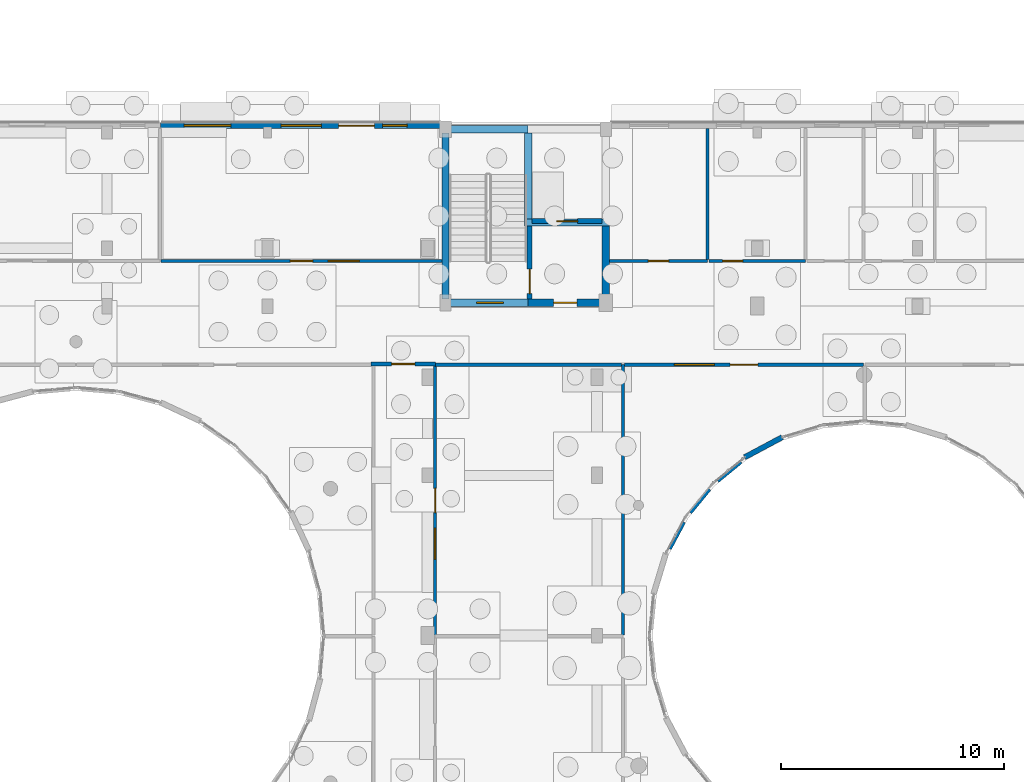
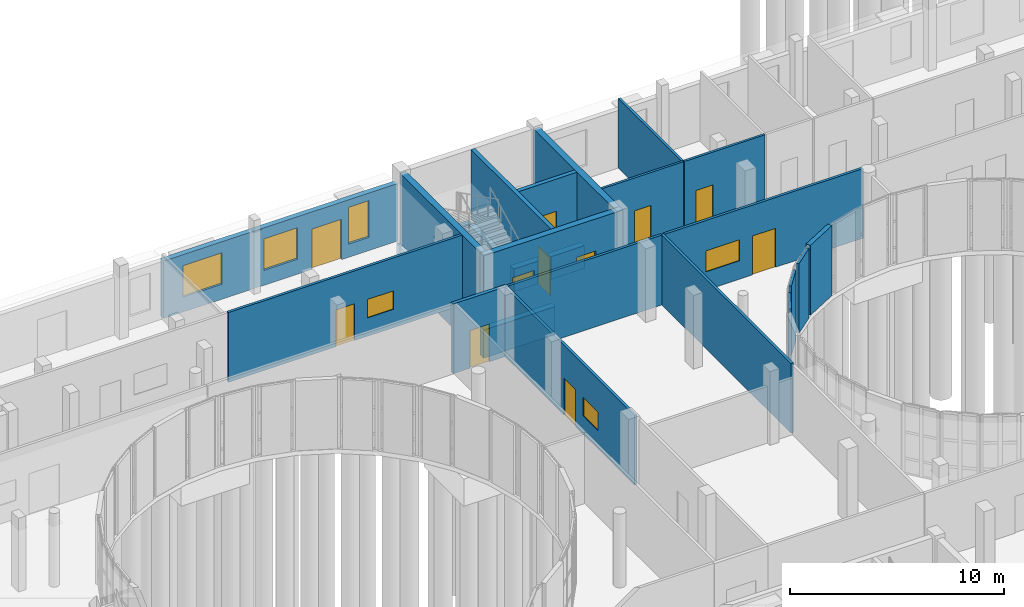
# One storey, part 72 of 93: 24 walls, 11 doors, 6 windows, 17 openings.
"""IFC4 building model written with IfcOpenShell, lengths in metres."""

from ifc_helpers import new_model, si_unit, direction, frame, frame_2d, origin, place, context, subcontext, project, spatial, rectangle, extrude, material, layer, layer_set, type_object, element, fill, save


model = new_model("IFC4")

# Units and contexts
model_context = context("Model", 3, precision=1e-05, world=origin(), true_north=direction((0.0, 1.0)))
body_context = subcontext(model_context, "Body", "Model", "MODEL_VIEW")
ifc_project = project(units=[si_unit("LENGTHUNIT", "METRE"), si_unit("AREAUNIT", "SQUARE_METRE"), si_unit("VOLUMEUNIT", "CUBIC_METRE"), si_unit("PLANEANGLEUNIT", "RADIAN"), si_unit("MASSUNIT", "GRAM", prefix="KILO")], contexts=[model_context])

# Site, building, storey
site_placement = place(None, origin())
site = spatial("IfcSite", under=ifc_project, at=site_placement, CompositionType="ELEMENT")
building_placement = place(site_placement, origin())
building = spatial("IfcBuilding", under=site, at=building_placement, Name="Kelanivale Promenade Academy", CompositionType="ELEMENT")
storey_placement = place(building_placement, origin())
storey = spatial("IfcBuildingStorey", under=building, at=storey_placement, Name="L00", CompositionType="ELEMENT", Elevation=0.0)

# Walls
ifc_material_1 = material(Name="Concrete C40/50", Category="concrete")
ifc_layer_1 = layer(ifc_material_1, 0.330078125)
ifc_layer_set_1 = layer_set([ifc_layer_1], Name="Concrete C40/50")
wall_type_1 = type_object("IfcWallType", Name="CW-S1 Wall 330mm", PredefinedType="SHEAR", material=ifc_layer_set_1)
wall_1_placement = place(storey_placement, frame((83.554931640625, 75.360107421875, -1.550048828125), z_axis=(0.0, 0.0, 1.0), x_axis=(1.0, 0.0, 0.0)))
element("IfcWall", 1, at=wall_1_placement, inside=storey, type_object=wall_type_1, Name="CORE-2 lift pit wall", PredefinedType="SHEAR", context=body_context, shape_type="SweptSolid", body=[
    extrude(rectangle(XDim=3.81005859375, YDim=0.330078125, at=frame_2d((1.905029296875, 0.0))), origin(), (0.0, 0.0, 1.0), 1.300048828125),
])
wall_2_placement = place(storey_placement, frame((83.719970703125, 75.52490234375, -1.550048828125), z_axis=(0.0, 0.0, 1.0), x_axis=(0.0, 1.0, 0.0)))
element("IfcWall", 2, at=wall_2_placement, inside=storey, type_object=wall_type_1, Name="CORE-2 lift pit wall", PredefinedType="SHEAR", context=body_context, shape_type="SweptSolid", body=[
    extrude(rectangle(XDim=3.860107421875, YDim=0.330078125, at=frame_2d((1.93017578125, 0.0))), origin(), (0.0, 0.0, 1.0), 1.300048828125),
])
wall_3_placement = place(storey_placement, frame((80.0, 71.9150390625, -1.85009765625), z_axis=(0.0, 0.0, 1.0), x_axis=(0.0, 1.0, 0.0)))
element("IfcWall", 3, at=wall_3_placement, inside=storey, type_object=wall_type_1, Name="CORE-2 core raft starter wall", PredefinedType="SHEAR", context=body_context, shape_type="SweptSolid", body=[
    extrude(rectangle(XDim=7.469970703125, YDim=0.330078125, at=frame_2d((3.73486328125, 0.0))), origin(), (0.0, 0.0, 1.0), 1.60009765625),
])
for number, where, z_axis, x_axis, name in (
    (4, (79.8349609375, 71.75, -1.85009765625), (0.0, 0.0, 1.0), (1.0, 0.0, 0.0), "CORE-2 core raft starter wall"),
    (5, (79.8349609375, 79.550048828125, -1.85009765625), (0.0, 0.0, 1.0), (1.0, 0.0, 0.0), "CORE-2 core raft starter wall"),
):
    element("IfcWall", number, at=place(storey_placement, frame(where, z_axis=z_axis, x_axis=x_axis)), inside=storey, type_object=wall_type_1, Name=name, PredefinedType="SHEAR", context=body_context, shape_type="SweptSolid", body=[
        extrude(rectangle(XDim=3.864990234375, YDim=0.330078125, at=frame_2d((1.9326171875, 0.0))), origin(), (0.0, 0.0, 1.0), 1.60009765625),
    ])

# Wall, openings, doors
wall_4_placement = place(storey_placement, frame((79.8349609375, 71.75, 0.0), z_axis=(0.0, 0.0, 1.0), x_axis=(1.0, 0.0, 0.0)))
wall_4 = element("IfcWall", 6, at=wall_4_placement, inside=storey, type_object=wall_type_1, Name="CORE-2 RC shear wall S L00", PredefinedType="SHEAR", context=body_context, shape_type="SweptSolid", body=[
    extrude(rectangle(XDim=7.530029296875, YDim=0.330078125, at=frame_2d((3.76513671875, 0.0))), origin(), (0.0, 0.0, 1.0), 3.97998046875),
])
opening_1_placement = place(wall_4_placement, frame((5.014892578125, 0.0, 0.0)))
opening_1 = element("IfcOpeningElement", 7, at=opening_1_placement, cuts=wall_4, Name="Opening FD-CORE-2-LB-L00", PredefinedType="OPENING", context=body_context, shape_type="SweptSolid", body=[
    extrude(rectangle(XDim=1.050048828125, YDim=2.14990234375, at=frame_2d((0.52490234375, 1.074951171875))), frame((0.0, 0.175048828125, 0.0), z_axis=(0.0, -1.0, 0.0), x_axis=(1.0, 0.0, 0.0)), (0.0, 0.0, 1.0), 0.35009765625),
])
opening_2_placement = place(wall_4_placement, frame((1.56494140625, 0.0, 0.0)))
opening_2 = element("IfcOpeningElement", 8, at=opening_2_placement, cuts=wall_4, Name="Opening FD-CORE-2-ST-L00", PredefinedType="OPENING", context=body_context, shape_type="SweptSolid", body=[
    extrude(rectangle(XDim=1.199951171875, YDim=2.199951171875, at=frame_2d((0.60009765625, 1.10009765625))), frame((0.0, 0.175048828125, 0.0), z_axis=(0.0, -1.0, 0.0), x_axis=(1.0, 0.0, 0.0)), (0.0, 0.0, 1.0), 0.35009765625),
])
ifc_material_2 = material(Name="Fire-rated steel-core teak veneer", Category="steel")
door_type_1 = type_object("IfcDoorType", Name="DT-F02 Door 1200x2200", OperationType="NOTDEFINED", PredefinedType="DOOR", material=ifc_material_2)
door_1_placement = place(opening_2_placement, frame((1.199951171875, 0.0, 0.0), z_axis=(0.0, 0.0, 1.0), x_axis=(-1.0, 0.0, 0.0)))
door_1 = element("IfcDoor", 9, at=door_1_placement, inside=storey, type_object=door_type_1, Name="CORE-2 protected stair fire door L00", OperationType="SINGLE_SWING_LEFT", OverallHeight=2.199951171875, OverallWidth=1.199951171875, PredefinedType="DOOR", context=body_context, shape_type="SweptSolid", body=[
    extrude(rectangle(XDim=1.199951171875, YDim=2.199951171875, at=frame_2d((0.60009765625, 1.10009765625))), frame((0.0, 0.02490234375, 0.0), z_axis=(0.0, -1.0, 0.0), x_axis=(1.0, 0.0, 0.0)), (0.0, 0.0, 1.0), 0.050048828125),
])
fill(opening_2, door_1)
door_type_2 = type_object("IfcDoorType", Name="DT-F03 Door 1050x2150", OperationType="NOTDEFINED", PredefinedType="DOOR", material=ifc_material_2)
door_2_placement = place(opening_1_placement, origin())
door_2 = element("IfcDoor", 10, at=door_2_placement, inside=storey, type_object=door_type_2, Name="CORE-2 corridor-to-lobby fire door L00", OperationType="SINGLE_SWING_RIGHT", OverallHeight=2.14990234375, OverallWidth=1.050048828125, PredefinedType="DOOR", context=body_context, shape_type="SweptSolid", body=[
    extrude(rectangle(XDim=1.050048828125, YDim=2.14990234375, at=frame_2d((0.52490234375, 1.074951171875))), frame((0.0, 0.02490234375, 0.0), z_axis=(0.0, -1.0, 0.0), x_axis=(1.0, 0.0, 0.0)), (0.0, 0.0, 1.0), 0.050048828125),
])
fill(opening_1, door_2)

# Walls
for number, where, z_axis, x_axis, name in (
    (11, (80.0, 71.9150390625, 0.0), (0.0, 0.0, 1.0), (0.0, 1.0, 0.0), "CORE-2 RC shear wall W L00"),
    (12, (87.199951171875, 71.9150390625, 0.0), (0.0, 0.0, 1.0), (0.0, 1.0, 0.0), "CORE-2 RC shear wall E L00"),
):
    element("IfcWall", number, at=place(storey_placement, frame(where, z_axis=z_axis, x_axis=x_axis)), inside=storey, type_object=wall_type_1, Name=name, PredefinedType="SHEAR", context=body_context, shape_type="SweptSolid", body=[
        extrude(rectangle(XDim=7.469970703125, YDim=0.330078125, at=frame_2d((3.73486328125, 0.0))), origin(), (0.0, 0.0, 1.0), 3.97998046875),
    ])

# Wall, opening, door
ifc_layer_2 = layer(ifc_material_1, 0.22509765625)
ifc_layer_set_2 = layer_set([ifc_layer_2], Name="Concrete C40/50")
wall_type_2 = type_object("IfcWallType", Name="CW-S2 Wall 225mm", PredefinedType="SHEAR", material=ifc_layer_set_2)
wall_5_placement = place(storey_placement, frame((83.885009765625, 75.419921875, 0.0), z_axis=(0.0, 0.0, 1.0), x_axis=(1.0, 0.0, 0.0)))
wall_5 = element("IfcWall", 13, at=wall_5_placement, inside=storey, type_object=wall_type_2, Name="CORE-2 lift shaft front RC wall L00", PredefinedType="SHEAR", context=body_context, shape_type="SweptSolid", body=[
    extrude(rectangle(XDim=3.14990234375, YDim=0.22509765625, at=frame_2d((1.574951171875, 0.0))), origin(), (0.0, 0.0, 1.0), 3.97998046875),
])
opening_3_placement = place(wall_5_placement, frame((1.10009765625, 0.0, 0.0)))
opening_3 = element("IfcOpeningElement", 14, at=opening_3_placement, cuts=wall_5, Name="Opening LD-LF-FF2-L00", PredefinedType="OPENING", context=body_context, shape_type="SweptSolid", body=[
    extrude(rectangle(XDim=0.949951171875, YDim=2.14990234375, at=frame_2d((0.47509765625, 1.074951171875))), frame((0.0, 0.12255859375, 0.0), z_axis=(0.0, -1.0, 0.0), x_axis=(1.0, 0.0, 0.0)), (0.0, 0.0, 1.0), 0.2451171875),
])
door_type_3 = type_object("IfcDoorType", Name="LD-FF1 Door 950x2150", OperationType="NOTDEFINED", PredefinedType="DOOR", material=ifc_material_2)
door_3_placement = place(opening_3_placement, origin())
door_3 = element("IfcDoor", 15, at=door_3_placement, inside=storey, type_object=door_type_3, Name="Firefighting lift landing door LD-LF-FF2-L00", OperationType="SLIDING_TO_LEFT", OverallHeight=2.14990234375, OverallWidth=0.949951171875, PredefinedType="DOOR", context=body_context, shape_type="SweptSolid", body=[
    extrude(rectangle(XDim=0.949951171875, YDim=2.14990234375, at=frame_2d((0.47509765625, 1.074951171875))), frame((0.0, 0.02490234375, 0.0), z_axis=(0.0, -1.0, 0.0), x_axis=(1.0, 0.0, 0.0)), (0.0, 0.0, 1.0), 0.050048828125),
])
fill(opening_3, door_3)

ifc_layer_3 = layer(ifc_material_1, 0.219970703125)
ifc_layer_set_3 = layer_set([ifc_layer_3], Name="Concrete C40/50")
wall_type_3 = type_object("IfcWallType", Name="CW-S3 Wall 220mm", PredefinedType="SHEAR", material=ifc_layer_set_3)
wall_6_placement = place(storey_placement, frame((83.77490234375, 71.9150390625, 0.0), z_axis=(0.0, 0.0, 1.0), x_axis=(0.0, 1.0, 0.0)))
wall_6 = element("IfcWall", 16, at=wall_6_placement, inside=storey, type_object=wall_type_3, Name="CORE-2 stair-lobby dividing RC wall L00", PredefinedType="SHEAR", context=body_context, shape_type="SweptSolid", body=[
    extrude(rectangle(XDim=7.469970703125, YDim=0.219970703125, at=frame_2d((3.73486328125, 0.0))), origin(), (0.0, 0.0, 1.0), 3.97998046875),
])
opening_4_placement = place(wall_6_placement, frame((0.25, 0.0, 0.0)))
opening_4 = element("IfcOpeningElement", 17, at=opening_4_placement, cuts=wall_6, Name="Opening FD-CORE-2-SL-L00", PredefinedType="OPENING", context=body_context, shape_type="SweptSolid", body=[
    extrude(rectangle(XDim=1.10009765625, YDim=2.14990234375, at=frame_2d((0.550048828125, 1.074951171875))), frame((0.0, 0.1201171875, 0.0), z_axis=(0.0, -1.0, 0.0), x_axis=(1.0, 0.0, 0.0)), (0.0, 0.0, 1.0), 0.239990234375),
])
door_type_4 = type_object("IfcDoorType", Name="DT-F01 Door 1100x2150", OperationType="NOTDEFINED", PredefinedType="DOOR", material=ifc_material_2)
door_4_placement = place(opening_4_placement, origin())
door_4 = element("IfcDoor", 18, at=door_4_placement, inside=storey, type_object=door_type_4, Name="CORE-2 lobby-to-stair fire door L00", OperationType="SINGLE_SWING_LEFT", OverallHeight=2.14990234375, OverallWidth=1.10009765625, PredefinedType="DOOR", context=body_context, shape_type="SweptSolid", body=[
    extrude(rectangle(XDim=1.10009765625, YDim=2.14990234375, at=frame_2d((0.550048828125, 1.074951171875))), frame((0.0, 0.02490234375, 0.0), z_axis=(0.0, -1.0, 0.0), x_axis=(1.0, 0.0, 0.0)), (0.0, 0.0, 1.0), 0.050048828125),
])
fill(opening_4, door_4)

# Wall, openings, door, windows
ifc_material_3 = material(Name="Insulated ivory stucco masonry wall 280 mm", Category="masonry")
ifc_layer_4 = layer(ifc_material_3, 0.280029296875)
ifc_layer_set_4 = layer_set([ifc_layer_4], Name="Insulated ivory stucco masonry wall 280 mm")
wall_type_4 = type_object("IfcWallType", Name="EW-02 Wall 280mm", PredefinedType="SOLIDWALL", material=ifc_layer_set_4)
wall_7_placement = place(storey_placement, frame((79.8349609375, 79.7099609375, 0.0), z_axis=(0.0, 0.0, 1.0), x_axis=(-1.0, 0.0, 0.0)))
wall_7 = element("IfcWall", 19, at=wall_7_placement, inside=storey, type_object=wall_type_4, Name="L00 exterior facade wall EW-L00-ORT-0311", PredefinedType="SOLIDWALL", context=body_context, shape_type="SweptSolid", body=[
    extrude(rectangle(XDim=12.635009765625, YDim=0.280029296875, at=frame_2d((6.3173828125, 0.0))), origin(), (0.0, 0.0, 1.0), 3.27490234375),
])
opening_5_placement = place(wall_7_placement, frame((3.034912109375, 0.0, 0.0)))
opening_5 = element("IfcOpeningElement", 20, at=opening_5_placement, cuts=wall_7, Name="Opening ED-03", PredefinedType="OPENING", context=body_context, shape_type="SweptSolid", body=[
    extrude(rectangle(XDim=1.60009765625, YDim=2.300048828125, at=frame_2d((0.800048828125, 1.14990234375))), frame((0.0, 0.14990234375, 0.0), z_axis=(0.0, -1.0, 0.0), x_axis=(1.0, 0.0, 0.0)), (0.0, 0.0, 1.0), 0.300048828125),
])
opening_6_placement = place(wall_7_placement, frame((1.555908203125, 0.0, 0.75)))
opening_6 = element("IfcOpeningElement", 21, at=opening_6_placement, cuts=wall_7, Name="Opening WT-17", PredefinedType="OPENING", context=body_context, shape_type="SweptSolid", body=[
    extrude(rectangle(XDim=1.10009765625, YDim=2.10009765625, at=frame_2d((0.550048828125, 1.050048828125))), frame((0.0, 0.14990234375, 0.0), z_axis=(0.0, -1.0, 0.0), x_axis=(1.0, 0.0, 0.0)), (0.0, 0.0, 1.0), 0.300048828125),
])
opening_7_placement = place(wall_7_placement, frame((5.4169921875, 0.0, 0.85009765625)))
opening_7 = element("IfcOpeningElement", 22, at=opening_7_placement, cuts=wall_7, Name="Opening WT-01", PredefinedType="OPENING", context=body_context, shape_type="SweptSolid", body=[
    extrude(rectangle(XDim=1.800048828125, YDim=1.800048828125, at=frame_2d((0.89990234375, 0.89990234375))), frame((0.0, 0.14990234375, 0.0), z_axis=(0.0, -1.0, 0.0), x_axis=(1.0, 0.0, 0.0)), (0.0, 0.0, 1.0), 0.300048828125),
])
opening_8_placement = place(wall_7_placement, frame((9.47900390625, 0.0, 0.85009765625)))
opening_8 = element("IfcOpeningElement", 23, at=opening_8_placement, cuts=wall_7, Name="Opening WT-02", PredefinedType="OPENING", context=body_context, shape_type="SweptSolid", body=[
    extrude(rectangle(XDim=2.10009765625, YDim=1.800048828125, at=frame_2d((1.050048828125, 0.89990234375))), frame((0.0, 0.14990234375, 0.0), z_axis=(0.0, -1.0, 0.0), x_axis=(1.0, 0.0, 0.0)), (0.0, 0.0, 1.0), 0.300048828125),
])
ifc_material_4 = material(Name="Bronze anodised aluminium and laminated glass", Category="aluminium")
door_type_5 = type_object("IfcDoorType", Name="DT-X02 Door 1600x2300", OperationType="NOTDEFINED", PredefinedType="DOOR", material=ifc_material_4)
door_5_placement = place(opening_5_placement, frame((1.60009765625, 0.0, 0.0), z_axis=(0.0, 0.0, 1.0), x_axis=(-1.0, 0.0, 0.0)))
door_5 = element("IfcDoor", 24, at=door_5_placement, inside=storey, type_object=door_type_5, Name="North spine central exit discharge door ED-03", OperationType="DOUBLE_DOOR_SINGLE_SWING", OverallHeight=2.300048828125, OverallWidth=1.60009765625, PredefinedType="DOOR", context=body_context, shape_type="SweptSolid", body=[
    extrude(rectangle(XDim=1.60009765625, YDim=2.300048828125, at=frame_2d((0.800048828125, 1.14990234375))), frame((0.0, 0.02490234375, 0.0), z_axis=(0.0, -1.0, 0.0), x_axis=(1.0, 0.0, 0.0)), (0.0, 0.0, 1.0), 0.050048828125),
])
fill(opening_5, door_5)
ifc_material_5 = material(Name="Bronze anodised aluminium frame with low-E laminated glass", Category="aluminium")
window_type_1 = type_object("IfcWindowType", Name="WT-01 Window 1800x1800", PartitioningType="SINGLE_PANEL", PredefinedType="WINDOW", material=ifc_material_5)
window_1_placement = place(opening_7_placement, origin())
window_1 = element("IfcWindow", 25, at=window_1_placement, inside=storey, type_object=window_type_1, Name="Window WT-01", OverallHeight=1.800048828125, OverallWidth=1.800048828125, PartitioningType="SINGLE_PANEL", PredefinedType="WINDOW", context=body_context, shape_type="SweptSolid", body=[
    extrude(rectangle(XDim=1.800048828125, YDim=1.800048828125, at=frame_2d((0.89990234375, 0.89990234375))), frame((0.0, 0.030029296875, 0.0), z_axis=(0.0, -1.0, 0.0), x_axis=(1.0, 0.0, 0.0)), (0.0, 0.0, 1.0), 0.06005859375),
])
fill(opening_7, window_1)
window_type_2 = type_object("IfcWindowType", Name="WT-02 Window 2100x1800", PartitioningType="SINGLE_PANEL", PredefinedType="WINDOW", material=ifc_material_5)
window_2_placement = place(opening_8_placement, origin())
window_2 = element("IfcWindow", 26, at=window_2_placement, inside=storey, type_object=window_type_2, Name="Window WT-02", OverallHeight=1.800048828125, OverallWidth=2.10009765625, PartitioningType="SINGLE_PANEL", PredefinedType="WINDOW", context=body_context, shape_type="SweptSolid", body=[
    extrude(rectangle(XDim=2.10009765625, YDim=1.800048828125, at=frame_2d((1.050048828125, 0.89990234375))), frame((0.0, 0.030029296875, 0.0), z_axis=(0.0, -1.0, 0.0), x_axis=(1.0, 0.0, 0.0)), (0.0, 0.0, 1.0), 0.06005859375),
])
fill(opening_8, window_2)
window_type_3 = type_object("IfcWindowType", Name="WT-17 Window 1100x2100", PartitioningType="SINGLE_PANEL", PredefinedType="WINDOW", material=ifc_material_5)
window_3_placement = place(opening_6_placement, origin())
window_3 = element("IfcWindow", 27, at=window_3_placement, inside=storey, type_object=window_type_3, Name="Window WT-17", OverallHeight=2.10009765625, OverallWidth=1.10009765625, PartitioningType="SINGLE_PANEL", PredefinedType="WINDOW", context=body_context, shape_type="SweptSolid", body=[
    extrude(rectangle(XDim=1.10009765625, YDim=2.10009765625, at=frame_2d((0.550048828125, 1.050048828125))), frame((0.0, 0.030029296875, 0.0), z_axis=(0.0, -1.0, 0.0), x_axis=(1.0, 0.0, 0.0)), (0.0, 0.0, 1.0), 0.06005859375),
])
fill(opening_6, window_3)

# Wall
ifc_material_6 = material(Name="Insulated courtyard stucco masonry wall 240 mm", Category="masonry")
ifc_layer_5 = layer(ifc_material_6, 0.239990234375)
ifc_layer_set_5 = layer_set([ifc_layer_5], Name="Insulated courtyard stucco masonry wall 240 mm")
wall_type_5 = type_object("IfcWallType", Name="EW-04 Wall 240mm", PredefinedType="SOLIDWALL", material=ifc_layer_set_5)
wall_8_placement = place(storey_placement, frame((95.12109375, 65.7119140625, 0.0), z_axis=(0.0, 0.0, 1.0), x_axis=(-0.881893245259, -0.471449153109, 0.0)))
element("IfcWall", 28, at=wall_8_placement, inside=storey, type_object=wall_type_5, Name="L00 round courtyard stucco wall", PredefinedType="SOLIDWALL", context=body_context, shape_type="SweptSolid", body=[
    extrude(rectangle(XDim=1.912841796875, YDim=0.239990234375, at=frame_2d((0.95654296875, 0.0))), origin(), (0.0, 0.0, 1.0), 3.97998046875),
])

# Wall, opening, door
ifc_material_7 = material(Name="Autoclaved masonry blockwork 180 mm", Category="masonry")
ifc_layer_6 = layer(ifc_material_7, 0.179931640625)
ifc_layer_set_6 = layer_set([ifc_layer_6], Name="Autoclaved masonry blockwork 180 mm")
wall_type_6 = type_object("IfcWallType", Name="IW-02 Wall 180mm", PredefinedType="PARTITIONING", material=ifc_layer_set_6)
wall_9_placement = place(storey_placement, frame((76.64990234375, 69.0, 0.0), z_axis=(0.0, 0.0, 1.0), x_axis=(1.0, 0.0, 0.0)))
wall_9 = element("IfcWall", 29, at=wall_9_placement, inside=storey, type_object=wall_type_6, Name="L00 cross-corridor fire wall", PredefinedType="PARTITIONING", context=body_context, shape_type="SweptSolid", body=[
    extrude(rectangle(XDim=2.900146484375, YDim=0.179931640625, at=frame_2d((1.4501953125, 0.0))), origin(), (0.0, 0.0, 1.0), 3.97998046875),
])
opening_9_placement = place(wall_9_placement, frame((0.925048828125, 0.0, 0.0)))
opening_9 = element("IfcOpeningElement", 30, at=opening_9_placement, cuts=wall_9, Name="Opening FD-L00-CC-005", PredefinedType="OPENING", context=body_context, shape_type="SweptSolid", body=[
    extrude(rectangle(XDim=1.050048828125, YDim=2.14990234375, at=frame_2d((0.52490234375, 1.074951171875))), frame((0.0, 0.10009765625, 0.0), z_axis=(0.0, -1.0, 0.0), x_axis=(1.0, 0.0, 0.0)), (0.0, 0.0, 1.0), 0.199951171875),
])
door_6_placement = place(opening_9_placement, origin())
door_6 = element("IfcDoor", 31, at=door_6_placement, inside=storey, type_object=door_type_2, Name="L00 cross-corridor fire door FD-L00-CC-005", OperationType="SINGLE_SWING_LEFT", OverallHeight=2.14990234375, OverallWidth=1.050048828125, PredefinedType="DOOR", context=body_context, shape_type="SweptSolid", body=[
    extrude(rectangle(XDim=1.050048828125, YDim=2.14990234375, at=frame_2d((0.52490234375, 1.074951171875))), frame((0.0, 0.02490234375, 0.0), z_axis=(0.0, -1.0, 0.0), x_axis=(1.0, 0.0, 0.0)), (0.0, 0.0, 1.0), 0.050048828125),
])
fill(opening_9, door_6)

# Walls
ifc_material_8 = material(Name="Acoustic double-stud gypsum board partition 140 mm", Category="masonry")
ifc_layer_7 = layer(ifc_material_8, 0.139892578125)
ifc_layer_set_7 = layer_set([ifc_layer_7], Name="Acoustic double-stud gypsum board partition 140 mm")
wall_type_7 = type_object("IfcWallType", Name="IW-04 Wall 140mm", PredefinedType="PARTITIONING", material=ifc_layer_set_7)
wall_10_placement = place(storey_placement, frame((87.969970703125, 56.837890625, 0.0), z_axis=(0.0, 0.0, 1.0), x_axis=(0.0, 1.0, 0.0)))
element("IfcWall", 32, at=wall_10_placement, inside=storey, type_object=wall_type_7, Name="L00 partition Humanities Seminar", PredefinedType="PARTITIONING", context=body_context, shape_type="SweptSolid", body=[
    extrude(rectangle(XDim=12.132080078125, YDim=0.139892578125, at=frame_2d((6.06591796875, 0.0))), origin(), (0.0, 0.0, 1.0), 3.97509765625),
])
wall_11_placement = place(storey_placement, frame((87.902099609375, 68.969970703125, 0.0), z_axis=(0.0, 0.0, 1.0), x_axis=(-1.0, 0.0, 0.0)))
element("IfcWall", 33, at=wall_11_placement, inside=storey, type_object=wall_type_7, Name="L00 partition Humanities Seminar", PredefinedType="PARTITIONING", context=body_context, shape_type="SweptSolid", body=[
    extrude(rectangle(XDim=8.3720703125, YDim=0.139892578125, at=frame_2d((4.18603515625, 0.0))), origin(), (0.0, 0.0, 1.0), 3.97509765625),
])

# Wall, openings, door, window
wall_12_placement = place(storey_placement, frame((79.530029296875, 68.902099609375, 0.0), z_axis=(0.0, 0.0, 1.0), x_axis=(0.0, -1.0, 0.0)))
wall_12 = element("IfcWall", 34, at=wall_12_placement, inside=storey, type_object=wall_type_7, Name="L00 partition Humanities Seminar", PredefinedType="PARTITIONING", context=body_context, shape_type="SweptSolid", body=[
    extrude(rectangle(XDim=12.064208984375, YDim=0.139892578125, at=frame_2d((6.0322265625, 0.0))), origin(), (0.0, 0.0, 1.0), 3.97509765625),
])
opening_10_placement = place(wall_12_placement, frame((5.48193359375, 0.0, 0.0)))
opening_10 = element("IfcOpeningElement", 35, at=opening_10_placement, cuts=wall_12, Name="Opening ID-L00-034", PredefinedType="OPENING", context=body_context, shape_type="SweptSolid", body=[
    extrude(rectangle(XDim=1.10009765625, YDim=2.10009765625, at=frame_2d((0.550048828125, 1.050048828125))), frame((0.0, 0.080078125, 0.0), z_axis=(0.0, -1.0, 0.0), x_axis=(1.0, 0.0, 0.0)), (0.0, 0.0, 1.0), 0.159912109375),
])
opening_11_placement = place(wall_12_placement, frame((7.281982421875, 0.0, 1.050048828125)))
opening_11 = element("IfcOpeningElement", 36, at=opening_11_placement, cuts=wall_12, Name="Opening WT-I03", PredefinedType="OPENING", context=body_context, shape_type="SweptSolid", body=[
    extrude(rectangle(XDim=1.39990234375, YDim=1.050048828125, at=frame_2d((0.699951171875, 0.52490234375))), frame((0.0, 0.080078125, 0.0), z_axis=(0.0, -1.0, 0.0), x_axis=(1.0, 0.0, 0.0)), (0.0, 0.0, 1.0), 0.159912109375),
])
ifc_material_9 = material(Name="Solid-core tropical teak timber", Category="wood")
door_type_6 = type_object("IfcDoorType", Name="DT-I03 Door 1100x2100", OperationType="NOTDEFINED", PredefinedType="DOOR", material=ifc_material_9)
door_7_placement = place(opening_10_placement, origin())
door_7 = element("IfcDoor", 37, at=door_7_placement, inside=storey, type_object=door_type_6, Name="Humanities Seminar door ID-L00-034", OperationType="SINGLE_SWING_RIGHT", OverallHeight=2.10009765625, OverallWidth=1.10009765625, PredefinedType="DOOR", context=body_context, shape_type="SweptSolid", body=[
    extrude(rectangle(XDim=1.10009765625, YDim=2.10009765625, at=frame_2d((0.550048828125, 1.050048828125))), frame((0.0, 0.02490234375, 0.0), z_axis=(0.0, -1.0, 0.0), x_axis=(1.0, 0.0, 0.0)), (0.0, 0.0, 1.0), 0.050048828125),
])
fill(opening_10, door_7)
window_type_4 = type_object("IfcWindowType", Name="WT-I03 Window 1400x1050", PartitioningType="SINGLE_PANEL", PredefinedType="WINDOW", material=ifc_material_5)
window_4_placement = place(opening_11_placement, origin())
window_4 = element("IfcWindow", 38, at=window_4_placement, inside=storey, type_object=window_type_4, Name="Interior observation window WT-I03", OverallHeight=1.050048828125, OverallWidth=1.39990234375, PartitioningType="SINGLE_PANEL", PredefinedType="WINDOW", context=body_context, shape_type="SweptSolid", body=[
    extrude(rectangle(XDim=1.39990234375, YDim=1.050048828125, at=frame_2d((0.699951171875, 0.52490234375))), frame((0.0, 0.030029296875, 0.0), z_axis=(0.0, -1.0, 0.0), x_axis=(1.0, 0.0, 0.0)), (0.0, 0.0, 1.0), 0.06005859375),
])
fill(opening_11, window_4)

# Wall
wall_13_placement = place(storey_placement, frame((92.23291015625, 63.73193359375, 0.0), z_axis=(0.0, 0.0, 1.0), x_axis=(0.772962530207, 0.634451674201, 0.0)))
element("IfcWall", 39, at=wall_13_placement, inside=storey, type_object=wall_type_7, Name="L00 partition Humanities Seminar Courtyard East-North", PredefinedType="PARTITIONING", context=body_context, shape_type="SweptSolid", body=[
    extrude(rectangle(XDim=1.357177734375, YDim=0.139892578125, at=frame_2d((0.6787109375, 0.0))), origin(), (0.0, 0.0, 1.0), 3.97509765625),
])

# Wall, openings, door, window
wall_14_placement = place(storey_placement, frame((98.77001953125, 68.969970703125, 0.0), z_axis=(0.0, 0.0, 1.0), x_axis=(-1.0, 0.0, 0.0)))
wall_14 = element("IfcWall", 40, at=wall_14_placement, inside=storey, type_object=wall_type_7, Name="L00 partition Humanities Seminar Courtyard East-North", PredefinedType="PARTITIONING", context=body_context, shape_type="SweptSolid", body=[
    extrude(rectangle(XDim=10.73193359375, YDim=0.139892578125, at=frame_2d((5.365966796875, 0.0))), origin(), (0.0, 0.0, 1.0), 3.97509765625),
])
opening_12_placement = place(wall_14_placement, frame((4.740966796875, 0.0, 0.0)))
opening_12 = element("IfcOpeningElement", 41, at=opening_12_placement, cuts=wall_14, Name="Opening ID-L00-042", PredefinedType="OPENING", context=body_context, shape_type="SweptSolid", body=[
    extrude(rectangle(XDim=1.25, YDim=2.219970703125, at=frame_2d((0.625, 1.10986328125))), frame((0.0, 0.080078125, 0.0), z_axis=(0.0, -1.0, 0.0), x_axis=(1.0, 0.0, 0.0)), (0.0, 0.0, 1.0), 0.159912109375),
])
opening_13_placement = place(wall_14_placement, frame((6.69091796875, 0.0, 1.050048828125)))
opening_13 = element("IfcOpeningElement", 42, at=opening_13_placement, cuts=wall_14, Name="Opening WT-I02", PredefinedType="OPENING", context=body_context, shape_type="SweptSolid", body=[
    extrude(rectangle(XDim=1.800048828125, YDim=1.199951171875, at=frame_2d((0.89990234375, 0.60009765625))), frame((0.0, 0.080078125, 0.0), z_axis=(0.0, -1.0, 0.0), x_axis=(1.0, 0.0, 0.0)), (0.0, 0.0, 1.0), 0.159912109375),
])
door_type_7 = type_object("IfcDoorType", Name="DT-I19 Door 1250x2220", OperationType="NOTDEFINED", PredefinedType="DOOR", material=ifc_material_9)
door_8_placement = place(opening_12_placement, origin())
door_8 = element("IfcDoor", 43, at=door_8_placement, inside=storey, type_object=door_type_7, Name="Humanities Seminar Courtyard East-North door ID-L00-042", OperationType="SINGLE_SWING_LEFT", OverallHeight=2.219970703125, OverallWidth=1.25, PredefinedType="DOOR", context=body_context, shape_type="SweptSolid", body=[
    extrude(rectangle(XDim=1.25, YDim=2.219970703125, at=frame_2d((0.625, 1.10986328125))), frame((0.0, 0.02490234375, 0.0), z_axis=(0.0, -1.0, 0.0), x_axis=(1.0, 0.0, 0.0)), (0.0, 0.0, 1.0), 0.050048828125),
])
fill(opening_12, door_8)
window_type_5 = type_object("IfcWindowType", Name="WT-I02 Window 1800x1200", PartitioningType="SINGLE_PANEL", PredefinedType="WINDOW", material=ifc_material_5)
window_5_placement = place(opening_13_placement, origin())
window_5 = element("IfcWindow", 44, at=window_5_placement, inside=storey, type_object=window_type_5, Name="Interior observation window WT-I02", OverallHeight=1.199951171875, OverallWidth=1.800048828125, PartitioningType="SINGLE_PANEL", PredefinedType="WINDOW", context=body_context, shape_type="SweptSolid", body=[
    extrude(rectangle(XDim=1.800048828125, YDim=1.199951171875, at=frame_2d((0.89990234375, 0.60009765625))), frame((0.0, 0.030029296875, 0.0), z_axis=(0.0, -1.0, 0.0), x_axis=(1.0, 0.0, 0.0)), (0.0, 0.0, 1.0), 0.06005859375),
])
fill(opening_13, window_5)

# Walls
for number, where, z_axis, x_axis, name in (
    (45, (90.0810546875, 60.69091796875, 0.0), (0.0, 0.0, 1.0), (0.470877717269, 0.882198489785, 0.0), "L00 partition Humanities Seminar Courtyard East-North"),
    (46, (91.007080078125, 62.318115234375, 0.0), (0.0, 0.0, 1.0), (0.634432410055, 0.772978341916, 0.0), "L00 partition Humanities Seminar Courtyard East-North"),
):
    element("IfcWall", number, at=place(storey_placement, frame(where, z_axis=z_axis, x_axis=x_axis)), inside=storey, type_object=wall_type_7, Name=name, PredefinedType="PARTITIONING", context=body_context, shape_type="SweptSolid", body=[
        extrude(rectangle(XDim=1.35693359375, YDim=0.139892578125, at=frame_2d((0.678466796875, 0.0))), origin(), (0.0, 0.0, 1.0), 3.97509765625),
    ])

# Wall, openings, door, window
wall_15_placement = place(storey_placement, frame((67.22998046875, 73.6298828125, 0.0), z_axis=(0.0, 0.0, 1.0), x_axis=(1.0, 0.0, 0.0)))
wall_15 = element("IfcWall", 47, at=wall_15_placement, inside=storey, type_object=wall_type_7, Name="L00 partition Junior Classroom North 2", PredefinedType="PARTITIONING", context=body_context, shape_type="SweptSolid", body=[
    extrude(rectangle(XDim=12.60693359375, YDim=0.139892578125, at=frame_2d((6.303466796875, 0.0))), origin(), (0.0, 0.0, 1.0), 3.97509765625),
])
opening_14_placement = place(wall_15_placement, frame((5.802978515625, 0.0, 0.0)))
opening_14 = element("IfcOpeningElement", 48, at=opening_14_placement, cuts=wall_15, Name="Opening ID-L00-049", PredefinedType="OPENING", context=body_context, shape_type="SweptSolid", body=[
    extrude(rectangle(XDim=1.0, YDim=2.10009765625, at=frame_2d((0.5, 1.050048828125))), frame((0.0, 0.080078125, 0.0), z_axis=(0.0, -1.0, 0.0), x_axis=(1.0, 0.0, 0.0)), (0.0, 0.0, 1.0), 0.159912109375),
])
opening_15_placement = place(wall_15_placement, frame((7.5029296875, 0.0, 1.050048828125)))
opening_15 = element("IfcOpeningElement", 49, at=opening_15_placement, cuts=wall_15, Name="Opening WT-I03", PredefinedType="OPENING", context=body_context, shape_type="SweptSolid", body=[
    extrude(rectangle(XDim=1.39990234375, YDim=1.050048828125, at=frame_2d((0.699951171875, 0.52490234375))), frame((0.0, 0.080078125, 0.0), z_axis=(0.0, -1.0, 0.0), x_axis=(1.0, 0.0, 0.0)), (0.0, 0.0, 1.0), 0.159912109375),
])
door_type_8 = type_object("IfcDoorType", Name="DT-I01 Door 1000x2100", OperationType="NOTDEFINED", PredefinedType="DOOR", material=ifc_material_9)
door_9_placement = place(opening_14_placement, origin())
door_9 = element("IfcDoor", 50, at=door_9_placement, inside=storey, type_object=door_type_8, Name="Junior Classroom North 2 door ID-L00-049", OperationType="SINGLE_SWING_RIGHT", OverallHeight=2.10009765625, OverallWidth=1.0, PredefinedType="DOOR", context=body_context, shape_type="SweptSolid", body=[
    extrude(rectangle(XDim=1.0, YDim=2.10009765625, at=frame_2d((0.5, 1.050048828125))), frame((0.0, 0.02490234375, 0.0), z_axis=(0.0, -1.0, 0.0), x_axis=(1.0, 0.0, 0.0)), (0.0, 0.0, 1.0), 0.050048828125),
])
fill(opening_14, door_9)
window_6_placement = place(opening_15_placement, origin())
window_6 = element("IfcWindow", 51, at=window_6_placement, inside=storey, type_object=window_type_4, Name="Interior observation window WT-I03", OverallHeight=1.050048828125, OverallWidth=1.39990234375, PartitioningType="SINGLE_PANEL", PredefinedType="WINDOW", context=body_context, shape_type="SweptSolid", body=[
    extrude(rectangle(XDim=1.39990234375, YDim=1.050048828125, at=frame_2d((0.699951171875, 0.52490234375))), frame((0.0, 0.030029296875, 0.0), z_axis=(0.0, -1.0, 0.0), x_axis=(1.0, 0.0, 0.0)), (0.0, 0.0, 1.0), 0.06005859375),
])
fill(opening_15, window_6)

# Wall, opening, door
ifc_material_10 = material(Name="Moisture-resistant masonry wet-room partition 125 mm", Category="masonry")
ifc_layer_8 = layer(ifc_material_10, 0.125)
ifc_layer_set_8 = layer_set([ifc_layer_8], Name="Moisture-resistant masonry wet-room partition 125 mm")
wall_type_8 = type_object("IfcWallType", Name="IW-05 Wall 125mm", PredefinedType="PARTITIONING", material=ifc_layer_set_8)
wall_16_placement = place(storey_placement, frame((87.363037109375, 73.6298828125, 0.0), z_axis=(0.0, 0.0, 1.0), x_axis=(1.0, 0.0, 0.0)))
wall_16 = element("IfcWall", 52, at=wall_16_placement, inside=storey, type_object=wall_type_8, Name="L00 partition Boys Washroom", PredefinedType="PARTITIONING", context=body_context, shape_type="SweptSolid", body=[
    extrude(rectangle(XDim=4.406982421875, YDim=0.125, at=frame_2d((2.20361328125, 0.0))), origin(), (0.0, 0.0, 1.0), 3.97509765625),
])
opening_16_placement = place(wall_16_placement, frame((1.7529296875, 0.0, 0.0)))
opening_16 = element("IfcOpeningElement", 53, at=opening_16_placement, cuts=wall_16, Name="Opening ID-L00-043", PredefinedType="OPENING", context=body_context, shape_type="SweptSolid", body=[
    extrude(rectangle(XDim=0.89990234375, YDim=2.10009765625, at=frame_2d((0.449951171875, 1.050048828125))), frame((0.0, 0.072509765625, 0.0), z_axis=(0.0, -1.0, 0.0), x_axis=(1.0, 0.0, 0.0)), (0.0, 0.0, 1.0), 0.14501953125),
])
door_type_9 = type_object("IfcDoorType", Name="DT-I06 Door 900x2100", OperationType="NOTDEFINED", PredefinedType="DOOR", material=ifc_material_9)
door_10_placement = place(opening_16_placement, origin())
door_10 = element("IfcDoor", 54, at=door_10_placement, inside=storey, type_object=door_type_9, Name="Boys Washroom door ID-L00-043", OperationType="SINGLE_SWING_RIGHT", OverallHeight=2.10009765625, OverallWidth=0.89990234375, PredefinedType="DOOR", context=body_context, shape_type="SweptSolid", body=[
    extrude(rectangle(XDim=0.89990234375, YDim=2.10009765625, at=frame_2d((0.449951171875, 1.050048828125))), frame((0.0, 0.02490234375, 0.0), z_axis=(0.0, -1.0, 0.0), x_axis=(1.0, 0.0, 0.0)), (0.0, 0.0, 1.0), 0.050048828125),
])
fill(opening_16, door_10)

# Wall
wall_17_placement = place(storey_placement, frame((91.77001953125, 73.69091796875, 0.0), z_axis=(0.0, 0.0, 1.0), x_axis=(0.0, 1.0, 0.0)))
element("IfcWall", 55, at=wall_17_placement, inside=storey, type_object=wall_type_8, Name="L00 partition Boys Washroom", PredefinedType="PARTITIONING", context=body_context, shape_type="SweptSolid", body=[
    extrude(rectangle(XDim=5.881103515625, YDim=0.125, at=frame_2d((2.9404296875, 0.0))), origin(), (0.0, 0.0, 1.0), 3.97509765625),
])

# Wall, opening, door
wall_18_placement = place(storey_placement, frame((91.830078125, 73.6298828125, 0.0), z_axis=(0.0, 0.0, 1.0), x_axis=(1.0, 0.0, 0.0)))
wall_18 = element("IfcWall", 56, at=wall_18_placement, inside=storey, type_object=wall_type_8, Name="L00 partition Girls Washroom", PredefinedType="PARTITIONING", context=body_context, shape_type="SweptSolid", body=[
    extrude(rectangle(XDim=4.33984375, YDim=0.125, at=frame_2d((2.169921875, 0.0))), origin(), (0.0, 0.0, 1.0), 3.97509765625),
])
opening_17_placement = place(wall_18_placement, frame((0.618896484375, 0.0, 0.0)))
opening_17 = element("IfcOpeningElement", 57, at=opening_17_placement, cuts=wall_18, Name="Opening ID-L00-044", PredefinedType="OPENING", context=body_context, shape_type="SweptSolid", body=[
    extrude(rectangle(XDim=0.89990234375, YDim=2.10009765625, at=frame_2d((0.449951171875, 1.050048828125))), frame((0.0, 0.072509765625, 0.0), z_axis=(0.0, -1.0, 0.0), x_axis=(1.0, 0.0, 0.0)), (0.0, 0.0, 1.0), 0.14501953125),
])
door_11_placement = place(opening_17_placement, origin())
door_11 = element("IfcDoor", 58, at=door_11_placement, inside=storey, type_object=door_type_9, Name="Girls Washroom door ID-L00-044", OperationType="SINGLE_SWING_LEFT", OverallHeight=2.10009765625, OverallWidth=0.89990234375, PredefinedType="DOOR", context=body_context, shape_type="SweptSolid", body=[
    extrude(rectangle(XDim=0.89990234375, YDim=2.10009765625, at=frame_2d((0.449951171875, 1.050048828125))), frame((0.0, 0.02490234375, 0.0), z_axis=(0.0, -1.0, 0.0), x_axis=(1.0, 0.0, 0.0)), (0.0, 0.0, 1.0), 0.050048828125),
])
fill(opening_17, door_11)

save(model, "model.ifc")
